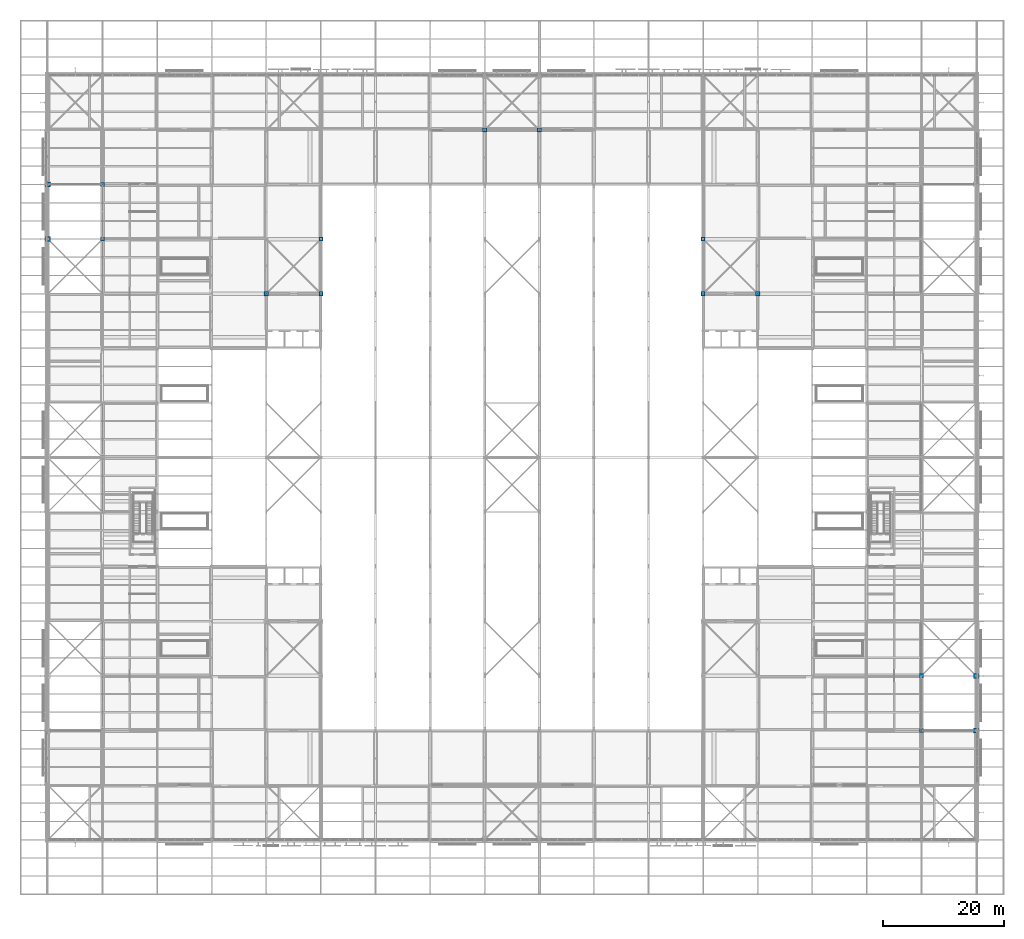
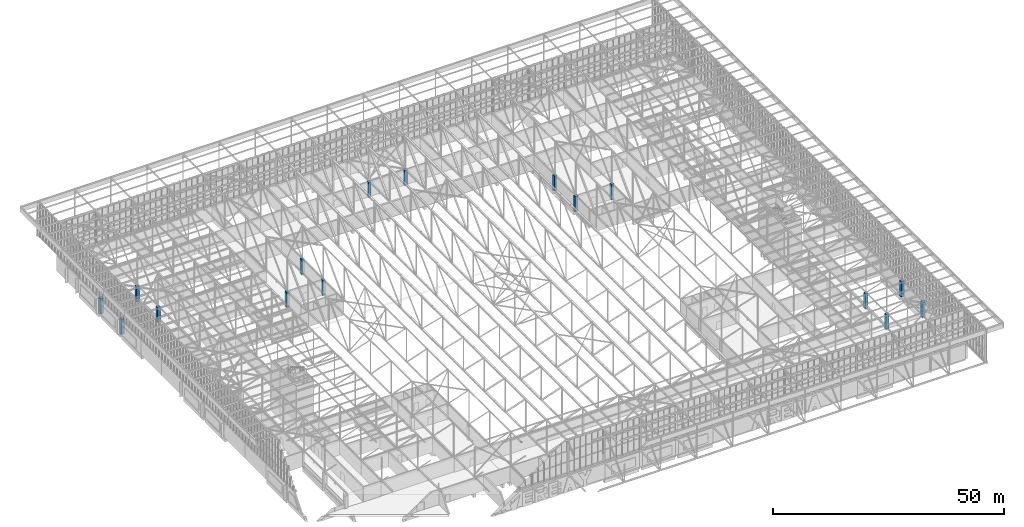
# One storey, part 5 of 646: 16 columns.
"""IFC4 building model written with IfcOpenShell, lengths in metres."""

from ifc_helpers import new_model, si_unit, direction, frame, origin, origin_2d, place, context, subcontext, project, spatial, rectangle, extrude, material, material_profile, profile_set, type_object, element, save


model = new_model("IFC4")

# Units and contexts
model_context = context("Model", 3, precision=1e-05, world=origin(), true_north=direction((0.0, 1.0)))
body_context = subcontext(model_context, "Body", "Model", "MODEL_VIEW")
ifc_project = project(units=[si_unit("LENGTHUNIT", "METRE"), si_unit("AREAUNIT", "SQUARE_METRE"), si_unit("VOLUMEUNIT", "CUBIC_METRE"), si_unit("PLANEANGLEUNIT", "RADIAN"), si_unit("MASSUNIT", "GRAM", prefix="KILO")], contexts=[model_context])

# Site, building, storey
site_placement = place(None, origin())
site = spatial("IfcSite", under=ifc_project, at=site_placement, CompositionType="ELEMENT")
building_placement = place(site_placement, origin())
building = spatial("IfcBuilding", under=site, at=building_placement, Name="Silverbay Arena", CompositionType="ELEMENT")
storey_placement = place(building_placement, frame((0.0, 0.0, 33.5)))
storey = spatial("IfcBuildingStorey", under=building, at=storey_placement, Name="L05", CompositionType="ELEMENT", Elevation=33.5)

# Columns
ifc_material_1 = material(Name="Concrete Grade C45", Category="concrete")
ifc_material_profile_1 = material_profile(ifc_material_1, rectangle(XDim=0.699951171875, YDim=0.699951171875, at=origin_2d()), Name="RC 700x700")
ifc_profile_set_1 = profile_set([ifc_material_profile_1], Name="Concrete Grade C45")
column_type_1 = type_object("IfcColumnType", Name="RC column 700x700", PredefinedType="COLUMN", material=ifc_profile_set_1)
for number, where, z_axis, x_axis, name in (
    (1, (126.0, 135.0, 0.0), (0.0, 0.0, 1.0), (1.0, 0.0, 0.0), "Column 15/R L05"),
    (2, (135.0, 135.0, 0.0), (0.0, 0.0, 1.0), (1.0, 0.0, 0.0), "Column 16/R L05"),
    (3, (198.0, 36.0, 0.0), (0.0, 0.0, 1.0), (1.0, 0.0, 0.0), "Column 23/E L05"),
    (4, (198.0, 45.0, 0.0), (0.0, 0.0, 1.0), (1.0, 0.0, 0.0), "Column 23/F L05"),
    (5, (63.0, 117.0, 0.0), (0.0, 0.0, 1.0), (1.0, 0.0, 0.0), "Column 8/P L05"),
    (6, (63.0, 126.0, 0.0), (0.0, 0.0, 1.0), (1.0, 0.0, 0.0), "Column 8/Q L05"),
    (7, (90.0, 108.0, 0.0), (0.0, 0.0, 1.0), (1.0, 0.0, 0.0), "Column 11/N L05"),
    (8, (99.0, 108.0, 0.0), (0.0, 0.0, 1.0), (1.0, 0.0, 0.0), "Column 12/N L05"),
    (9, (99.0, 117.0, 0.0), (0.0, 0.0, 1.0), (1.0, 0.0, 0.0), "Column 12/P L05"),
    (10, (162.0, 108.0, 0.0), (0.0, 0.0, 1.0), (1.0, 0.0, 0.0), "Column 19/N L05"),
    (11, (162.0, 117.0, 0.0), (0.0, 0.0, 1.0), (1.0, 0.0, 0.0), "Column 19/P L05"),
    (12, (171.0, 108.0, 0.0), (0.0, 0.0, 1.0), (1.0, 0.0, 0.0), "Column 20/N L05"),
):
    element("IfcColumn", number, at=place(storey_placement, frame(where, z_axis=z_axis, x_axis=x_axis)), inside=storey, type_object=column_type_1, Name=name, PredefinedType="COLUMN", context=body_context, shape_type="SweptSolid", body=[
        extrude(rectangle(XDim=0.699951171875, YDim=0.699951171875, at=origin_2d()), origin(), (0.0, 0.0, 1.0), 4.0),
    ])
ifc_material_2 = material(Name="Concrete Grade C45", Category="concrete")
ifc_material_profile_2 = material_profile(ifc_material_2, rectangle(XDim=0.800048828125, YDim=0.800048828125, at=origin_2d()), Name="RC 800x800")
ifc_profile_set_2 = profile_set([ifc_material_profile_2], Name="Concrete Grade C45")
column_type_2 = type_object("IfcColumnType", Name="RC column 800x800", PredefinedType="COLUMN", material=ifc_profile_set_2)
for number, where, z_axis, x_axis, name in (
    (13, (207.0, 36.0, 0.0), (0.0, 0.0, 1.0), (1.0, 0.0, 0.0), "Column 24/E L05"),
    (14, (207.0, 45.0, 0.0), (0.0, 0.0, 1.0), (1.0, 0.0, 0.0), "Column 24/F L05"),
    (15, (54.0, 117.0, 0.0), (0.0, 0.0, 1.0), (1.0, 0.0, 0.0), "Column 7/P L05"),
    (16, (54.0, 126.0, 0.0), (0.0, 0.0, 1.0), (1.0, 0.0, 0.0), "Column 7/Q L05"),
):
    element("IfcColumn", number, at=place(storey_placement, frame(where, z_axis=z_axis, x_axis=x_axis)), inside=storey, type_object=column_type_2, Name=name, PredefinedType="COLUMN", context=body_context, shape_type="SweptSolid", body=[
        extrude(rectangle(XDim=0.800048828125, YDim=0.800048828125, at=origin_2d()), origin(), (0.0, 0.0, 1.0), 4.0),
    ])

save(model, "model.ifc")
